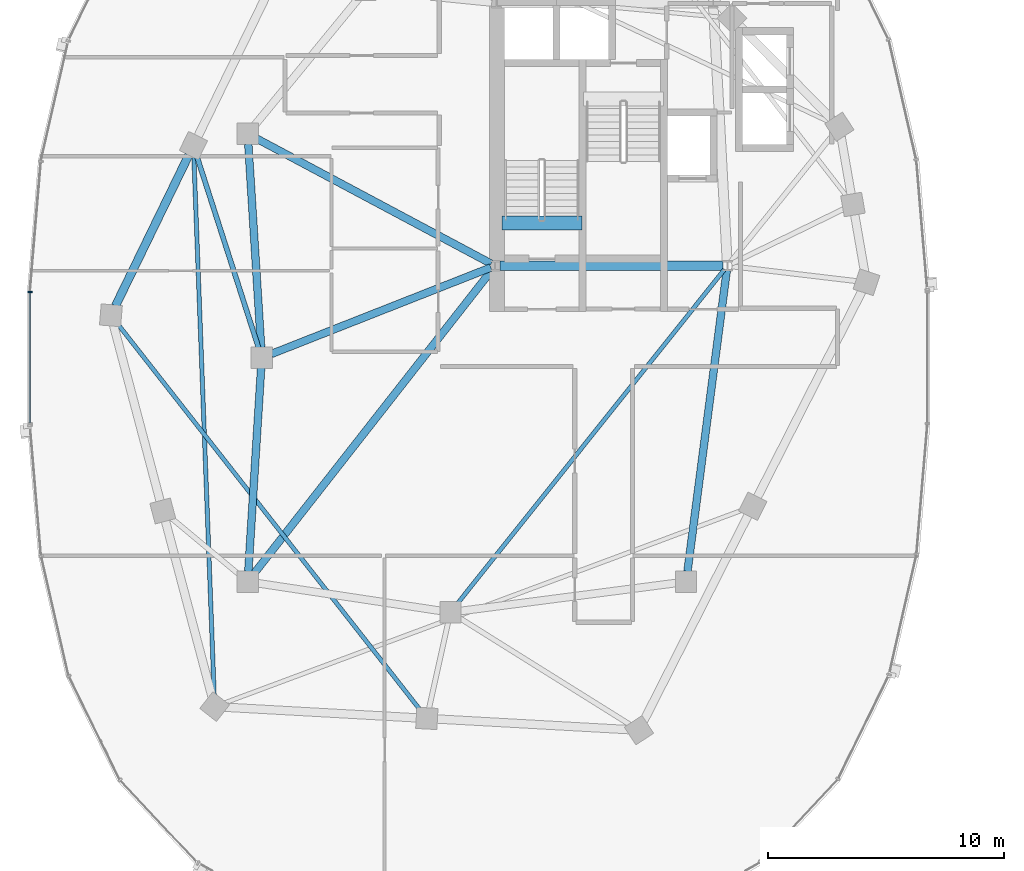
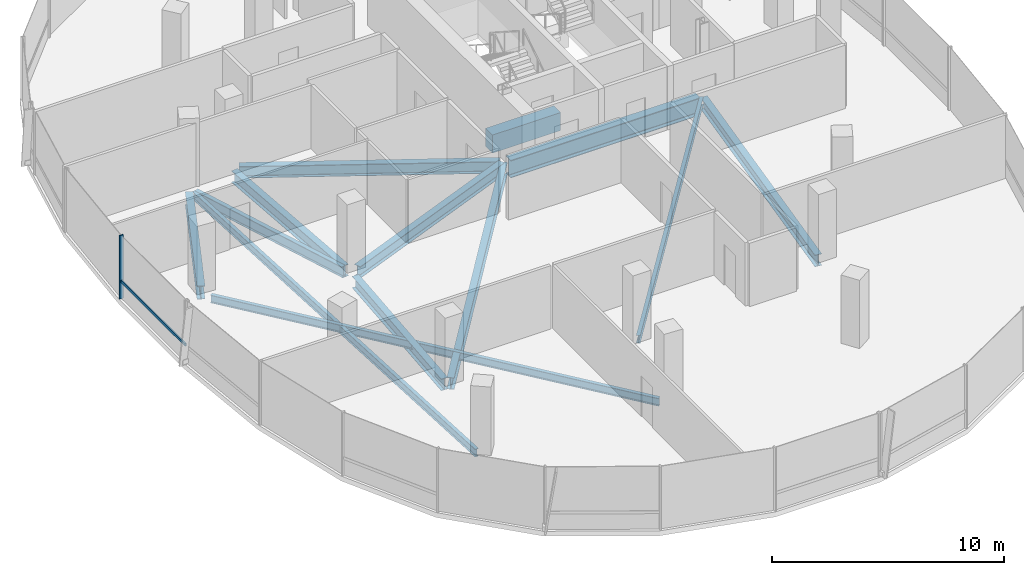
# One storey, part 4 of 25: 13 beams, 2 members, 1 element without a shape of its own.
"""IFC4 building model written with IfcOpenShell, lengths in metres."""

import ifcopenshell
import ifcopenshell.guid

model = None  # the IFC model being written
_history = None  # IfcOwnerHistory: only IFC2X3 demands one
_inside = {}  # id of a spatial element -> (the spatial element, [elements in it])
_under = {}  # id of a project, library or spatial element -> (it, [spatial elements below it])
_declared = {}  # id of a project -> (the project, [libraries it declares])
_typed = {}  # id of a type object -> (the type object, [elements of that type])
_made_of = {}  # id of a material, layer set ... -> (it, [elements and type objects made of it])


def new_model(schema):
    """Start an empty IFC model of exactly this schema.

    Asked for "IFC4X3", IfcOpenShell would pick the latest addendum, in which some entities
    have other attributes; the version numbers below select the first issue.
    IFC2X3 requires an IfcOwnerHistory on every rooted entity: one is made here for all.
    """
    global model, _history
    if schema == "IFC4X3":
        model = ifcopenshell.file(schema_version=(4, 3, 0, 0))
    else:
        model = ifcopenshell.file(schema=schema)
    _inside.clear()
    _under.clear()
    _declared.clear()
    _typed.clear()
    _made_of.clear()
    _history = None
    if model.schema == "IFC2X3":
        org = make("IfcOrganization", Name="unknown")
        user = make(
            "IfcPersonAndOrganization",
            ThePerson=make("IfcPerson", FamilyName="unknown"),
            TheOrganization=org,
        )
        app = make(
            "IfcApplication",
            ApplicationDeveloper=org,
            Version="unknown",
            ApplicationFullName="unknown",
            ApplicationIdentifier="unknown",
        )
        _history = make(
            "IfcOwnerHistory",
            OwningUser=user,
            OwningApplication=app,
            ChangeAction="ADDED",
            CreationDate=0,
        )
    return model


def make(cls, **values):
    """One entity of the class cls with the attributes given. An attribute that is None is left unset."""
    return model.create_entity(
        cls, **{name: value for name, value in values.items() if value is not None}
    )


def rooted(cls, **values):
    """An entity with a GlobalId (a new one), such as an element, a storey or a relation."""
    return make(cls, GlobalId=ifcopenshell.guid.new(), OwnerHistory=_history, **values)


def si_unit(unit_type, name, prefix=None):
    """IfcSIUnit, for example si_unit("LENGTHUNIT", "METRE", prefix="MILLI")."""
    return make("IfcSIUnit", UnitType=unit_type, Prefix=prefix, Name=name)


def assignment(units):
    """IfcUnitAssignment: the units of a project."""
    return None if units is None else make("IfcUnitAssignment", Units=units)


def point(xyz):
    """IfcCartesianPoint."""
    return None if xyz is None else make("IfcCartesianPoint", Coordinates=xyz)


def direction(xyz):
    """IfcDirection."""
    return None if xyz is None else make("IfcDirection", DirectionRatios=xyz)


def frame(location, z_axis=None, x_axis=None):
    """IfcAxis2Placement3D, a coordinate frame: its origin and axes. An axis left out is left unset."""
    return make(
        "IfcAxis2Placement3D",
        Location=point(location),
        Axis=direction(z_axis),
        RefDirection=direction(x_axis),
    )


def frame_2d(location, x_axis=None):
    """IfcAxis2Placement2D, a coordinate frame in the plane: its origin and x axis."""
    return make(
        "IfcAxis2Placement2D", Location=point(location), RefDirection=direction(x_axis)
    )


def origin():
    """The frame at (0, 0, 0) with its axes left unset."""
    return frame((0.0, 0.0, 0.0))


def origin_2d():
    """The frame at (0, 0) in the plane with its x axis left unset."""
    return frame_2d((0.0, 0.0))


def place(relative_to, where):
    """IfcLocalPlacement: puts the frame where relative to a parent placement (None: the world)."""
    return make(
        "IfcLocalPlacement", PlacementRelTo=relative_to, RelativePlacement=where
    )


def context(
    kind, dimensions, precision=None, world=None, true_north=None, identifier=None
):
    """IfcGeometricRepresentationContext, for example the 3D "Model" context."""
    return make(
        "IfcGeometricRepresentationContext",
        ContextIdentifier=identifier,
        ContextType=kind,
        CoordinateSpaceDimension=dimensions,
        Precision=precision,
        WorldCoordinateSystem=world,
        TrueNorth=true_north,
    )


def subcontext(parent, identifier, kind, view, scale=None):
    """IfcGeometricRepresentationSubContext, for example "Body" below "Model"."""
    return make(
        "IfcGeometricRepresentationSubContext",
        ContextIdentifier=identifier,
        ContextType=kind,
        ParentContext=parent,
        TargetScale=scale,
        TargetView=view,
    )


def project(units=None, contexts=None):
    """IfcProject with its units and contexts."""
    return rooted(
        "IfcProject",
        Name="project",
        RepresentationContexts=contexts,
        UnitsInContext=assignment(units),
    )


def spatial(cls, under=None, at=None, **own):
    """A site, building, storey or space (cls), placed at a placement, below another one or the project."""
    s = rooted(cls, ObjectPlacement=at, **own)
    if under is not None:
        _under.setdefault(under.id(), (under, []))[1].append(s)
    return s


def profile(cls, at=None, kind="AREA", **sizes):
    """A parametric profile (cls). Its sizes go by their IFC names, for example OverallWidth=200.0."""
    return make(cls, ProfileType=kind, Position=at, **sizes)


def rectangle(**sizes):
    """IfcRectangleProfileDef."""
    return profile("IfcRectangleProfileDef", **sizes)


def i_section(**sizes):
    """IfcIShapeProfileDef."""
    return profile("IfcIShapeProfileDef", **sizes)


def extrude(swept, where, along, depth):
    """IfcExtrudedAreaSolid: the profile swept, set in the frame where, extruded along a direction by depth."""
    return make(
        "IfcExtrudedAreaSolid",
        SweptArea=swept,
        Position=where,
        ExtrudedDirection=direction(along),
        Depth=depth,
    )


def shape(context_of_items, identifier, shape_type, items):
    """IfcShapeRepresentation: the items that make up one representation, for example the "Body"."""
    return make(
        "IfcShapeRepresentation",
        ContextOfItems=context_of_items,
        RepresentationIdentifier=identifier,
        RepresentationType=shape_type,
        Items=items,
    )


def material(Name=None, Category=None):
    """IfcMaterial."""
    return make("IfcMaterial", Name=Name, Category=Category)


def material_profile(
    of_material, cross_section, Name=None, Category=None, Priority=None
):
    """IfcMaterialProfile: a cross section and its material."""
    return make(
        "IfcMaterialProfile",
        Name=Name,
        Material=of_material,
        Profile=cross_section,
        Priority=Priority,
        Category=Category,
    )


def profile_set(profiles, Name=None, composite=None):
    """IfcMaterialProfileSet."""
    return make(
        "IfcMaterialProfileSet",
        Name=Name,
        MaterialProfiles=profiles,
        CompositeProfile=composite,
    )


def made_of(thing, what):
    """Note that an element or type object is made of a material, layer set ...; save() writes the relation."""
    if what is not None:
        _made_of.setdefault(what.id(), (what, []))[1].append(thing)
    return thing


def type_object(cls, material=None, **own):
    """A type object (cls), such as IfcWallType, which elements share."""
    return made_of(rooted(cls, **own), material)


def element(
    cls,
    number,
    at=None,
    inside=None,
    cuts=None,
    type_object=None,
    material=None,
    context=None,
    identifier="Body",
    shape_type=None,
    held_by="IfcProductDefinitionShape",
    body=None,
    shapes=None,
    **own,
):
    """One element of the class cls, such as IfcWall. Its Tag is "e" and its number.

    at: its placement. inside: the storey or other place that contains it. cuts: it is an
    opening in that element (IfcRelVoidsElement). A single representation is given by context,
    identifier, shape_type and body (its items); several are given by shapes. held_by: the class
    of the entity that holds the representations. save() writes the other relations.
    """
    e = rooted(cls, Tag="e%d" % number, ObjectPlacement=at, **own)
    if body is not None:
        shapes = [shape(context, identifier, shape_type, body)]
    if shapes is not None:
        e.Representation = make(held_by, Representations=shapes)
    if inside is not None:
        _inside.setdefault(inside.id(), (inside, []))[1].append(e)
    if cuts is not None:
        rooted(
            "IfcRelVoidsElement", RelatingBuildingElement=cuts, RelatedOpeningElement=e
        )
    if type_object is not None:
        _typed.setdefault(type_object.id(), (type_object, []))[1].append(e)
    return made_of(e, material)


def aggregate(whole, parts):
    """IfcRelAggregates: a whole, such as a stair, and the parts it consists of."""
    return rooted("IfcRelAggregates", RelatingObject=whole, RelatedObjects=parts)


def save(model, path):
    """Write the relations noted so far, then the file.

    IfcRelAggregates (storeys below a building ...), IfcRelContainedInSpatialStructure (elements
    in a storey), IfcRelDefinesByType, IfcRelAssociatesMaterial and IfcRelDeclares: one each for
    every whole, place, type object, material and project.
    """
    for whole, parts in _under.values():
        aggregate(whole, parts)
    for where, things in _inside.values():
        rooted(
            "IfcRelContainedInSpatialStructure",
            RelatedElements=things,
            RelatingStructure=where,
        )
    for kind, things in _typed.values():
        rooted("IfcRelDefinesByType", RelatedObjects=things, RelatingType=kind)
    for what, things in _made_of.values():
        rooted("IfcRelAssociatesMaterial", RelatedObjects=things, RelatingMaterial=what)
    for by, libraries in _declared.values():
        rooted("IfcRelDeclares", RelatingContext=by, RelatedDefinitions=libraries)
    model.write(path)


model = new_model("IFC4")

# Units and contexts
model_context = context("Model", 3, precision=1e-05, world=origin(), true_north=direction((0.0, 1.0)))
body_context = subcontext(model_context, "Body", "Model", "MODEL_VIEW")
ifc_project = project(units=[si_unit("LENGTHUNIT", "METRE"), si_unit("AREAUNIT", "SQUARE_METRE"), si_unit("VOLUMEUNIT", "CUBIC_METRE"), si_unit("PLANEANGLEUNIT", "RADIAN"), si_unit("MASSUNIT", "GRAM", prefix="KILO"), si_unit("THERMODYNAMICTEMPERATUREUNIT", "KELVIN"), si_unit("POWERUNIT", "WATT")], contexts=[model_context])

# Site, building, storey
site_placement = place(None, origin())
site = spatial("IfcSite", under=ifc_project, at=site_placement, CompositionType="ELEMENT")
building_placement = place(site_placement, origin())
building = spatial("IfcBuilding", under=site, at=building_placement, Name="Cundina Bronze Exchange", CompositionType="ELEMENT")
storey_placement = place(building_placement, frame((0.0, 0.0, 202.60009765625)))
storey = spatial("IfcBuildingStorey", under=building, at=storey_placement, Name="L53", CompositionType="ELEMENT", Elevation=202.60009765625)

# Beams
ifc_material_1 = material(Name="Concrete C60/75", Category="concrete")
ifc_material_profile_1 = material_profile(ifc_material_1, rectangle(XDim=0.60009765625, YDim=0.949951171875, at=origin_2d()), Name="RC600X950", Category="concrete")
ifc_profile_set_1 = profile_set([ifc_material_profile_1], Name="Concrete C60/75")
beam_type_1 = type_object("IfcBeamType", Name="BM-COUP-RC950", PredefinedType="LINTEL", material=ifc_profile_set_1)
beam_1_placement = place(storey_placement, frame((-31.02001953125, 5.719970703125, -0.47509765625), z_axis=(1.0, 0.0, 0.0), x_axis=(0.0, 1.0, 0.0)))
element("IfcBeam", 1, at=beam_1_placement, inside=storey, type_object=beam_type_1, Name="L53 Stair W1 Landing Header Beam", PredefinedType="LINTEL", context=body_context, shape_type="SweptSolid", body=[
    extrude(rectangle(XDim=0.60009765625, YDim=0.949951171875, at=origin_2d()), origin(), (0.0, 0.0, 1.0), 3.39990234375),
])
ifc_material_2 = material(Name="Steel ASTM A992 Grade 50", Category="steel")
ifc_material_profile_2 = material_profile(ifc_material_2, i_section(OverallWidth=0.2119140625, OverallDepth=0.5439453125, WebThickness=0.01318359375, FlangeThickness=0.021240234375, FilletRadius=0.013916015625, at=origin_2d()), Name="W21X83", Category="steel")
ifc_profile_set_2 = profile_set([ifc_material_profile_2], Name="Steel ASTM A992 Grade 50")
beam_type_2 = type_object("IfcBeamType", Name="BM-FLR-W21A", PredefinedType="BEAM", material=ifc_profile_set_2)
beam_2_placement = place(storey_placement, frame((-41.334228515625, 0.4169921875, -0.531982421875), z_axis=(-0.306727566953, 0.951797352208, 0.0), x_axis=(-0.951797352208, -0.306727566953, 0.0)))
element("IfcBeam", 2, at=beam_2_placement, inside=storey, type_object=beam_type_2, Name="L53 Leg W Radial Floor Beam 07", PredefinedType="BEAM", context=body_context, shape_type="SweptSolid", body=[
    extrude(i_section(OverallWidth=0.2119140625, OverallDepth=0.5439453125, WebThickness=0.01318359375, FlangeThickness=0.021240234375, FilletRadius=0.013916015625, at=origin_2d()), origin(), (0.0, 0.0, 1.0), 8.57958984375),
])
ifc_material_profile_3 = material_profile(ifc_material_2, i_section(OverallWidth=0.178955078125, OverallDepth=0.409912109375, WebThickness=0.0087890625, FlangeThickness=0.014404296875, FilletRadius=0.010986328125, at=origin_2d()), Name="W16X45", Category="steel")
ifc_profile_set_3 = profile_set([ifc_material_profile_3], Name="Steel ASTM A992 Grade 50")
beam_type_3 = type_object("IfcBeamType", Name="BM-JST-W16", PredefinedType="JOIST", material=ifc_profile_set_3)
beam_3_placement = place(storey_placement, frame((-21.572509765625, 3.746826171875, -0.465087890625), z_axis=(-0.624364266872, -0.781133319129, 0.0), x_axis=(0.781133319129, -0.624364266872, 0.0)))
element("IfcBeam", 3, at=beam_3_placement, inside=storey, type_object=beam_type_3, Name="L53 W Interior Core-to-Ring Joist 2", PredefinedType="JOIST", context=body_context, shape_type="SweptSolid", body=[
    extrude(i_section(OverallWidth=0.178955078125, OverallDepth=0.409912109375, WebThickness=0.0087890625, FlangeThickness=0.014404296875, FilletRadius=0.010986328125, at=origin_2d()), origin(), (0.0, 0.0, 1.0), 18.184814453125),
])
beam_4_placement = place(storey_placement, frame((-44.08349609375, 8.562255859375, -0.465087890625), z_axis=(0.037790216102, -0.999285694667, 0.0), x_axis=(0.999285694667, 0.037790216102, 0.0)))
element("IfcBeam", 4, at=beam_4_placement, inside=storey, type_object=beam_type_3, Name="L53 Leg W Lobe Floor Joist 07-10", PredefinedType="JOIST", context=body_context, shape_type="SweptSolid", body=[
    extrude(i_section(OverallWidth=0.178955078125, OverallDepth=0.409912109375, WebThickness=0.0087890625, FlangeThickness=0.014404296875, FilletRadius=0.010986328125, at=origin_2d()), origin(), (0.0, 0.0, 1.0), 22.94091796875),
])
beam_5_placement = place(storey_placement, frame((-47.329833984375, 1.455078125, -0.465087890625), z_axis=(0.616810493522, -0.787111691618, 0.0), x_axis=(0.787111691618, 0.616810493522, 0.0)))
element("IfcBeam", 5, at=beam_5_placement, inside=storey, type_object=beam_type_3, Name="L53 Leg W Lobe Floor Joist 08-11", PredefinedType="JOIST", context=body_context, shape_type="SweptSolid", body=[
    extrude(i_section(OverallWidth=0.178955078125, OverallDepth=0.409912109375, WebThickness=0.0087890625, FlangeThickness=0.014404296875, FilletRadius=0.010986328125, at=origin_2d()), origin(), (0.0, 0.0, 1.0), 20.8486328125),
])
ifc_material_profile_4 = material_profile(ifc_material_2, i_section(OverallWidth=0.324951171875, OverallDepth=0.615966796875, WebThickness=0.013916015625, FlangeThickness=0.021484375, FilletRadius=0.01611328125, at=origin_2d()), Name="W24X117", Category="steel")
ifc_profile_set_4 = profile_set([ifc_material_profile_4], Name="Steel ASTM A992 Grade 50")
beam_type_4 = type_object("IfcBeamType", Name="BM-RING-W24", PredefinedType="USERDEFINED", material=ifc_profile_set_4)
for number, where, z_axis, x_axis, name in (
    (6, (-41.7724609375, 9.06298828125, -0.568115234375), (0.063046519736, -0.998010589297, 0.0), (0.998010589297, 0.063046519736, 0.0), "L53 W Inner Structural Ring Girder 03"),
    (7, (-41.2275390625, -0.43701171875, -0.568115234375), (-0.063046519736, -0.998010589297, 0.0), (0.998010589297, -0.063046519736, 0.0), "L53 W Inner Structural Ring Girder 04"),
):
    element("IfcBeam", number, at=place(storey_placement, frame(where, z_axis=z_axis, x_axis=x_axis)), inside=storey, type_object=beam_type_4, Name=name, ObjectType="GIRDER", PredefinedType="USERDEFINED", context=body_context, shape_type="SweptSolid", body=[
        extrude(i_section(OverallWidth=0.324951171875, OverallDepth=0.615966796875, WebThickness=0.013916015625, FlangeThickness=0.021484375, FilletRadius=0.01611328125, at=origin_2d()), origin(), (0.0, 0.0, 1.0), 8.64306640625),
    ])
beam_6_placement = place(storey_placement, frame((-23.143310546875, -9.065673828125, -0.568115234375), z_axis=(0.129501251979, 0.991579258424, 0.0), x_axis=(-0.991579258424, 0.129501251979, 0.0)))
element("IfcBeam", 8, at=beam_6_placement, inside=storey, type_object=beam_type_4, Name="L53 W Inner Structural Ring Girder 07", ObjectType="GIRDER", PredefinedType="USERDEFINED", context=body_context, shape_type="SweptSolid", body=[
    extrude(i_section(OverallWidth=0.324951171875, OverallDepth=0.615966796875, WebThickness=0.013916015625, FlangeThickness=0.021484375, FilletRadius=0.01611328125, at=origin_2d()), origin(), (0.0, 0.0, 1.0), 12.8798828125),
])
beam_7_placement = place(storey_placement, frame((-31.482421875, 3.828125, -0.568115234375), z_axis=(-0.930404106569, -0.366535398673, 0.0), x_axis=(0.366535398673, -0.930404106569, 0.0)))
element("IfcBeam", 9, at=beam_7_placement, inside=storey, type_object=beam_type_4, Name="L53 W Core-to-Waist Tie Beam 1", ObjectType="GIRDER", PredefinedType="USERDEFINED", context=body_context, shape_type="SweptSolid", body=[
    extrude(i_section(OverallWidth=0.324951171875, OverallDepth=0.615966796875, WebThickness=0.013916015625, FlangeThickness=0.021484375, FilletRadius=0.01611328125, at=origin_2d()), origin(), (0.0, 0.0, 1.0), 10.00634765625),
])
beam_8_placement = place(storey_placement, frame((-31.472900390625, 3.9921875, -0.568115234375), z_axis=(-0.882350541683, 0.470592734317, 0.0), x_axis=(-0.470592734317, -0.882350541683, 0.0)))
element("IfcBeam", 10, at=beam_8_placement, inside=storey, type_object=beam_type_4, Name="L53 W Core-to-Waist Tie Beam 2", ObjectType="GIRDER", PredefinedType="USERDEFINED", context=body_context, shape_type="SweptSolid", body=[
    extrude(i_section(OverallWidth=0.324951171875, OverallDepth=0.615966796875, WebThickness=0.013916015625, FlangeThickness=0.021484375, FilletRadius=0.01611328125, at=origin_2d()), origin(), (0.0, 0.0, 1.0), 11.26611328125),
])
beam_9_placement = place(storey_placement, frame((-31.4208984375, 3.74560546875, -0.568115234375), z_axis=(-0.616782900053, -0.787133314123, 0.0), x_axis=(0.787133314123, -0.616782900053, 0.0)))
element("IfcBeam", 11, at=beam_9_placement, inside=storey, type_object=beam_type_4, Name="L53 W Core-to-Waist Tie Beam 3", ObjectType="GIRDER", PredefinedType="USERDEFINED", context=body_context, shape_type="SweptSolid", body=[
    extrude(i_section(OverallWidth=0.324951171875, OverallDepth=0.615966796875, WebThickness=0.013916015625, FlangeThickness=0.021484375, FilletRadius=0.01611328125, at=origin_2d()), origin(), (0.0, 0.0, 1.0), 16.3896484375),
])
ifc_material_profile_5 = material_profile(ifc_material_2, i_section(OverallWidth=0.35498046875, OverallDepth=0.695068359375, WebThickness=0.015380859375, FlangeThickness=0.02490234375, FilletRadius=0.01806640625, at=origin_2d()), Name="W27X146", Category="steel")
ifc_profile_set_5 = profile_set([ifc_material_profile_5], Name="Steel ASTM A992 Grade 50")
beam_type_5 = type_object("IfcBeamType", Name="BM-RING-W27", PredefinedType="USERDEFINED", material=ifc_profile_set_5)
beam_10_placement = place(storey_placement, frame((-44.29150390625, 8.606201171875, -0.607666015625), z_axis=(-0.437173087764, -0.89937739094, 0.0), x_axis=(0.89937739094, -0.437173087764, 0.0)))
element("IfcBeam", 12, at=beam_10_placement, inside=storey, type_object=beam_type_5, Name="L53 W Perimeter Ring Girder 07", ObjectType="GIRDER", PredefinedType="USERDEFINED", context=body_context, shape_type="SweptSolid", body=[
    extrude(i_section(OverallWidth=0.35498046875, OverallDepth=0.695068359375, WebThickness=0.015380859375, FlangeThickness=0.02490234375, FilletRadius=0.01806640625, at=origin_2d()), origin(), (0.0, 0.0, 1.0), 7.1298828125),
])
ifc_material_profile_6 = material_profile(ifc_material_2, i_section(OverallWidth=0.41796875, OverallDepth=0.927001953125, WebThickness=0.019287109375, FlangeThickness=0.031982421875, FilletRadius=0.02392578125, at=origin_2d()), Name="W36X231", Category="steel")
ifc_profile_set_6 = profile_set([ifc_material_profile_6], Name="Steel ASTM A992 Grade 50")
beam_type_6 = type_object("IfcBeamType", Name="BM-WRN-W36B", PredefinedType="USERDEFINED", material=ifc_profile_set_6)
beam_11_placement = place(storey_placement, frame((-31.10400390625, 3.89990234375, -0.7236328125), z_axis=(1.0, 0.0, 0.0), x_axis=(0.0, 1.0, 0.0)))
element("IfcBeam", 13, at=beam_11_placement, inside=storey, type_object=beam_type_6, Name="L53 W Core Perimeter Tie Girder 1", ObjectType="GIRDER", PredefinedType="USERDEFINED", context=body_context, shape_type="SweptSolid", body=[
    extrude(i_section(OverallWidth=0.41796875, OverallDepth=0.927001953125, WebThickness=0.019287109375, FlangeThickness=0.031982421875, FilletRadius=0.02392578125, at=origin_2d()), origin(), (0.0, 0.0, 1.0), 9.4580078125),
])

# Curtain wall, members
ifc_material_3 = material(Name="Anodised Bronze Aluminium 6063-T6", Category="aluminium")
curtain_wall_type = type_object("IfcCurtainWallType", Name="CWS-UPP-OFF", PredefinedType="NOTDEFINED", material=ifc_material_3)
curtain_wall_placement = place(storey_placement, origin())
curtain_wall = element("IfcCurtainWall", 14, at=curtain_wall_placement, inside=storey, type_object=curtain_wall_type, Name="L53 CW-05 Curtain Wall Run CWR-L53-W2", PredefinedType="NOTDEFINED")
ifc_material_profile_7 = material_profile(ifc_material_3, rectangle(XDim=0.070068359375, YDim=0.18994140625, at=origin_2d()), Name="AL70X190", Category="aluminium")
ifc_profile_set_7 = profile_set([ifc_material_profile_7], Name="Anodised Bronze Aluminium 6063-T6")
member_type_1 = type_object("IfcMemberType", Name="CWM-MUL-190", PredefinedType="MULLION", material=ifc_profile_set_7)
member_1_placement = place(storey_placement, frame((-51.033935546875, 2.794921875, 0.0), z_axis=(0.0, 0.0, 1.0), x_axis=(0.0, -1.0, 0.0)))
member_1 = element("IfcMember", 15, at=member_1_placement, type_object=member_type_1, Name="CW-05 Mullion 7", PredefinedType="MULLION", context=body_context, shape_type="SweptSolid", body=[
    extrude(rectangle(XDim=0.070068359375, YDim=0.18994140625, at=origin_2d()), origin(), (0.0, 0.0, 1.0), 3.33984375),
])
ifc_material_profile_8 = material_profile(ifc_material_3, rectangle(XDim=0.06494140625, YDim=0.14990234375, at=origin_2d()), Name="AL65X150", Category="aluminium")
ifc_profile_set_8 = profile_set([ifc_material_profile_8], Name="Anodised Bronze Aluminium 6063-T6")
member_type_2 = type_object("IfcMemberType", Name="CWM-TRN-150", PredefinedType="USERDEFINED", material=ifc_profile_set_8)
member_2_placement = place(storey_placement, frame((-51.033935546875, 2.756591796875, 0.919921875), z_axis=(0.0, -1.0, 0.0), x_axis=(1.0, 0.0, 0.0)))
member_2 = element("IfcMember", 16, at=member_2_placement, type_object=member_type_2, Name="CW-05 Spandrel Transom 7", ObjectType="TRANSOM", PredefinedType="USERDEFINED", context=body_context, shape_type="SweptSolid", body=[
    extrude(rectangle(XDim=0.06494140625, YDim=0.14990234375, at=origin_2d()), origin(), (0.0, 0.0, 1.0), 5.51318359375),
])
aggregate(curtain_wall, [member_1, member_2])

save(model, "model.ifc")
